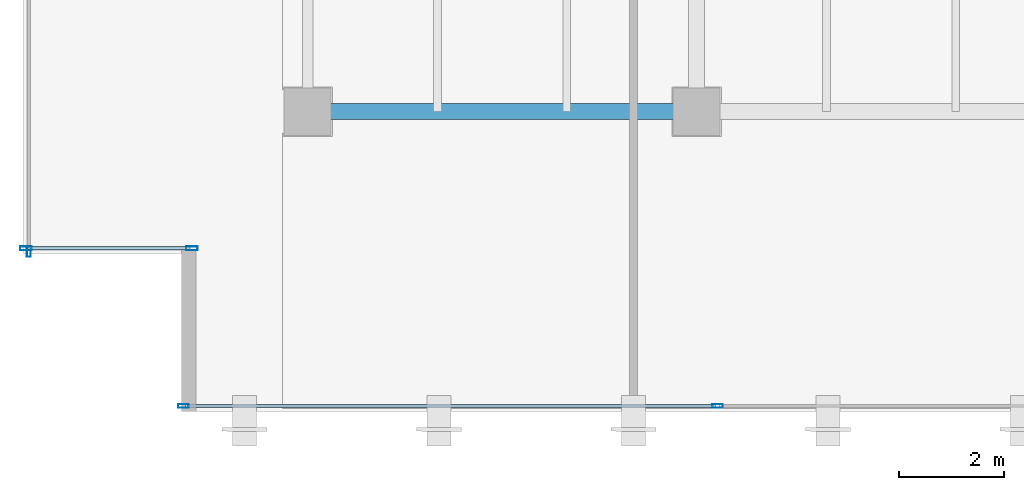
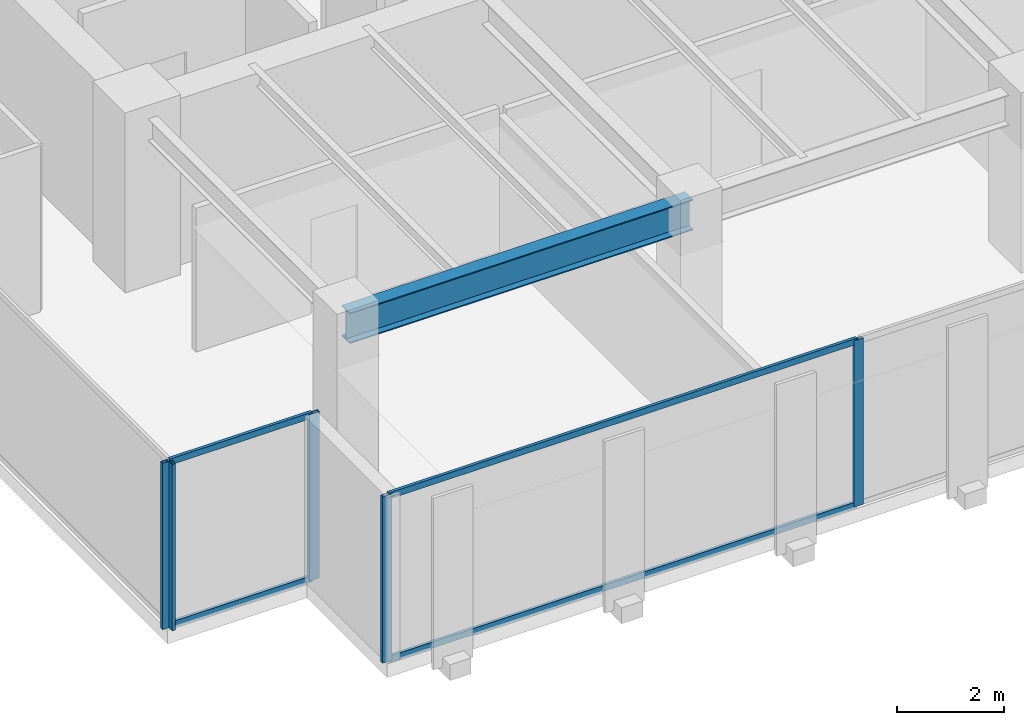
# One storey, part 2 of 34: 9 members, 1 beam, 3 elements without a shape of their own.
"""IFC4 building model written with IfcOpenShell, lengths in metres."""

import ifcopenshell
import ifcopenshell.guid

model = None  # the IFC model being written
_history = None  # IfcOwnerHistory: only IFC2X3 demands one
_inside = {}  # id of a spatial element -> (the spatial element, [elements in it])
_under = {}  # id of a project, library or spatial element -> (it, [spatial elements below it])
_declared = {}  # id of a project -> (the project, [libraries it declares])
_typed = {}  # id of a type object -> (the type object, [elements of that type])
_made_of = {}  # id of a material, layer set ... -> (it, [elements and type objects made of it])


def new_model(schema):
    """Start an empty IFC model of exactly this schema.

    Asked for "IFC4X3", IfcOpenShell would pick the latest addendum, in which some entities
    have other attributes; the version numbers below select the first issue.
    IFC2X3 requires an IfcOwnerHistory on every rooted entity: one is made here for all.
    """
    global model, _history
    if schema == "IFC4X3":
        model = ifcopenshell.file(schema_version=(4, 3, 0, 0))
    else:
        model = ifcopenshell.file(schema=schema)
    _inside.clear()
    _under.clear()
    _declared.clear()
    _typed.clear()
    _made_of.clear()
    _history = None
    if model.schema == "IFC2X3":
        org = make("IfcOrganization", Name="unknown")
        user = make(
            "IfcPersonAndOrganization",
            ThePerson=make("IfcPerson", FamilyName="unknown"),
            TheOrganization=org,
        )
        app = make(
            "IfcApplication",
            ApplicationDeveloper=org,
            Version="unknown",
            ApplicationFullName="unknown",
            ApplicationIdentifier="unknown",
        )
        _history = make(
            "IfcOwnerHistory",
            OwningUser=user,
            OwningApplication=app,
            ChangeAction="ADDED",
            CreationDate=0,
        )
    return model


def make(cls, **values):
    """One entity of the class cls with the attributes given. An attribute that is None is left unset."""
    return model.create_entity(
        cls, **{name: value for name, value in values.items() if value is not None}
    )


def rooted(cls, **values):
    """An entity with a GlobalId (a new one), such as an element, a storey or a relation."""
    return make(cls, GlobalId=ifcopenshell.guid.new(), OwnerHistory=_history, **values)


def si_unit(unit_type, name, prefix=None):
    """IfcSIUnit, for example si_unit("LENGTHUNIT", "METRE", prefix="MILLI")."""
    return make("IfcSIUnit", UnitType=unit_type, Prefix=prefix, Name=name)


def assignment(units):
    """IfcUnitAssignment: the units of a project."""
    return None if units is None else make("IfcUnitAssignment", Units=units)


def point(xyz):
    """IfcCartesianPoint."""
    return None if xyz is None else make("IfcCartesianPoint", Coordinates=xyz)


def direction(xyz):
    """IfcDirection."""
    return None if xyz is None else make("IfcDirection", DirectionRatios=xyz)


def frame(location, z_axis=None, x_axis=None):
    """IfcAxis2Placement3D, a coordinate frame: its origin and axes. An axis left out is left unset."""
    return make(
        "IfcAxis2Placement3D",
        Location=point(location),
        Axis=direction(z_axis),
        RefDirection=direction(x_axis),
    )


def frame_2d(location, x_axis=None):
    """IfcAxis2Placement2D, a coordinate frame in the plane: its origin and x axis."""
    return make(
        "IfcAxis2Placement2D", Location=point(location), RefDirection=direction(x_axis)
    )


def origin():
    """The frame at (0, 0, 0) with its axes left unset."""
    return frame((0.0, 0.0, 0.0))


def origin_2d():
    """The frame at (0, 0) in the plane with its x axis left unset."""
    return frame_2d((0.0, 0.0))


def place(relative_to, where):
    """IfcLocalPlacement: puts the frame where relative to a parent placement (None: the world)."""
    return make(
        "IfcLocalPlacement", PlacementRelTo=relative_to, RelativePlacement=where
    )


def context(
    kind, dimensions, precision=None, world=None, true_north=None, identifier=None
):
    """IfcGeometricRepresentationContext, for example the 3D "Model" context."""
    return make(
        "IfcGeometricRepresentationContext",
        ContextIdentifier=identifier,
        ContextType=kind,
        CoordinateSpaceDimension=dimensions,
        Precision=precision,
        WorldCoordinateSystem=world,
        TrueNorth=true_north,
    )


def subcontext(parent, identifier, kind, view, scale=None):
    """IfcGeometricRepresentationSubContext, for example "Body" below "Model"."""
    return make(
        "IfcGeometricRepresentationSubContext",
        ContextIdentifier=identifier,
        ContextType=kind,
        ParentContext=parent,
        TargetScale=scale,
        TargetView=view,
    )


def project(units=None, contexts=None):
    """IfcProject with its units and contexts."""
    return rooted(
        "IfcProject",
        Name="project",
        RepresentationContexts=contexts,
        UnitsInContext=assignment(units),
    )


def spatial(cls, under=None, at=None, **own):
    """A site, building, storey or space (cls), placed at a placement, below another one or the project."""
    s = rooted(cls, ObjectPlacement=at, **own)
    if under is not None:
        _under.setdefault(under.id(), (under, []))[1].append(s)
    return s


def profile(cls, at=None, kind="AREA", **sizes):
    """A parametric profile (cls). Its sizes go by their IFC names, for example OverallWidth=200.0."""
    return make(cls, ProfileType=kind, Position=at, **sizes)


def hollow_rectangle(**sizes):
    """IfcRectangleHollowProfileDef."""
    return profile("IfcRectangleHollowProfileDef", **sizes)


def i_section(**sizes):
    """IfcIShapeProfileDef."""
    return profile("IfcIShapeProfileDef", **sizes)


def extrude(swept, where, along, depth):
    """IfcExtrudedAreaSolid: the profile swept, set in the frame where, extruded along a direction by depth."""
    return make(
        "IfcExtrudedAreaSolid",
        SweptArea=swept,
        Position=where,
        ExtrudedDirection=direction(along),
        Depth=depth,
    )


def shape(context_of_items, identifier, shape_type, items):
    """IfcShapeRepresentation: the items that make up one representation, for example the "Body"."""
    return make(
        "IfcShapeRepresentation",
        ContextOfItems=context_of_items,
        RepresentationIdentifier=identifier,
        RepresentationType=shape_type,
        Items=items,
    )


def source(mapping_origin, context_of_items, identifier, shape_type, items):
    """IfcRepresentationMap: a shape defined once, which mapped items show again and again."""
    return make(
        "IfcRepresentationMap",
        MappingOrigin=mapping_origin,
        MappedRepresentation=shape(context_of_items, identifier, shape_type, items),
    )


def transform(
    local_origin,
    x_axis=None,
    y_axis=None,
    z_axis=None,
    scale=None,
    scale2=None,
    scale3=None,
    uniform=True,
):
    """IfcCartesianTransformationOperator3D, or its non-uniform kind. x_axis, y_axis, z_axis: its Axis1, 2, 3."""
    if uniform:
        return make(
            "IfcCartesianTransformationOperator3D",
            Axis1=direction(x_axis),
            Axis2=direction(y_axis),
            LocalOrigin=point(local_origin),
            Scale=scale,
            Axis3=direction(z_axis),
        )
    return make(
        "IfcCartesianTransformationOperator3DnonUniform",
        Axis1=direction(x_axis),
        Axis2=direction(y_axis),
        LocalOrigin=point(local_origin),
        Scale=scale,
        Axis3=direction(z_axis),
        Scale2=scale2,
        Scale3=scale3,
    )


def mapped(mapping_source, mapping_target):
    """IfcMappedItem: shows the shape of a source again, moved by a transform."""
    return make(
        "IfcMappedItem", MappingSource=mapping_source, MappingTarget=mapping_target
    )


def material(Name=None, Category=None):
    """IfcMaterial."""
    return make("IfcMaterial", Name=Name, Category=Category)


def layer(
    of_material, thickness, ventilated=None, Name=None, Category=None, Priority=None
):
    """IfcMaterialLayer: one layer of a wall or slab, of a material (None: an air gap)."""
    return make(
        "IfcMaterialLayer",
        Material=of_material,
        LayerThickness=thickness,
        IsVentilated=ventilated,
        Name=Name,
        Category=Category,
        Priority=Priority,
    )


def layer_set(layers, Name=None):
    """IfcMaterialLayerSet."""
    return make("IfcMaterialLayerSet", MaterialLayers=layers, LayerSetName=Name)


def material_profile(
    of_material, cross_section, Name=None, Category=None, Priority=None
):
    """IfcMaterialProfile: a cross section and its material."""
    return make(
        "IfcMaterialProfile",
        Name=Name,
        Material=of_material,
        Profile=cross_section,
        Priority=Priority,
        Category=Category,
    )


def profile_set(profiles, Name=None, composite=None):
    """IfcMaterialProfileSet."""
    return make(
        "IfcMaterialProfileSet",
        Name=Name,
        MaterialProfiles=profiles,
        CompositeProfile=composite,
    )


def made_of(thing, what):
    """Note that an element or type object is made of a material, layer set ...; save() writes the relation."""
    if what is not None:
        _made_of.setdefault(what.id(), (what, []))[1].append(thing)
    return thing


def type_object(cls, material=None, **own):
    """A type object (cls), such as IfcWallType, which elements share."""
    return made_of(rooted(cls, **own), material)


def type_shapes(of_type, sources):
    """Give a type object the sources (RepresentationMaps) that its elements show as mapped items."""
    of_type.RepresentationMaps = sources


def element(
    cls,
    number,
    at=None,
    inside=None,
    cuts=None,
    type_object=None,
    material=None,
    context=None,
    identifier="Body",
    shape_type=None,
    held_by="IfcProductDefinitionShape",
    body=None,
    shapes=None,
    **own,
):
    """One element of the class cls, such as IfcWall. Its Tag is "e" and its number.

    at: its placement. inside: the storey or other place that contains it. cuts: it is an
    opening in that element (IfcRelVoidsElement). A single representation is given by context,
    identifier, shape_type and body (its items); several are given by shapes. held_by: the class
    of the entity that holds the representations. save() writes the other relations.
    """
    e = rooted(cls, Tag="e%d" % number, ObjectPlacement=at, **own)
    if body is not None:
        shapes = [shape(context, identifier, shape_type, body)]
    if shapes is not None:
        e.Representation = make(held_by, Representations=shapes)
    if inside is not None:
        _inside.setdefault(inside.id(), (inside, []))[1].append(e)
    if cuts is not None:
        rooted(
            "IfcRelVoidsElement", RelatingBuildingElement=cuts, RelatedOpeningElement=e
        )
    if type_object is not None:
        _typed.setdefault(type_object.id(), (type_object, []))[1].append(e)
    return made_of(e, material)


def aggregate(whole, parts):
    """IfcRelAggregates: a whole, such as a stair, and the parts it consists of."""
    return rooted("IfcRelAggregates", RelatingObject=whole, RelatedObjects=parts)


def save(model, path):
    """Write the relations noted so far, then the file.

    IfcRelAggregates (storeys below a building ...), IfcRelContainedInSpatialStructure (elements
    in a storey), IfcRelDefinesByType, IfcRelAssociatesMaterial and IfcRelDeclares: one each for
    every whole, place, type object, material and project.
    """
    for whole, parts in _under.values():
        aggregate(whole, parts)
    for where, things in _inside.values():
        rooted(
            "IfcRelContainedInSpatialStructure",
            RelatedElements=things,
            RelatingStructure=where,
        )
    for kind, things in _typed.values():
        rooted("IfcRelDefinesByType", RelatedObjects=things, RelatingType=kind)
    for what, things in _made_of.values():
        rooted("IfcRelAssociatesMaterial", RelatedObjects=things, RelatingMaterial=what)
    for by, libraries in _declared.values():
        rooted("IfcRelDeclares", RelatingContext=by, RelatedDefinitions=libraries)
    model.write(path)


model = new_model("IFC4")

# Units and contexts
model_context = context("Model", 3, precision=1e-05, world=origin(), true_north=direction((0.0, 1.0)))
body_context = subcontext(model_context, "Body", "Model", "MODEL_VIEW")
ifc_project = project(units=[si_unit("LENGTHUNIT", "METRE"), si_unit("AREAUNIT", "SQUARE_METRE"), si_unit("VOLUMEUNIT", "CUBIC_METRE"), si_unit("PLANEANGLEUNIT", "RADIAN"), si_unit("MASSUNIT", "GRAM", prefix="KILO")], contexts=[model_context])

# Site, building, storey
site_placement = place(None, origin())
site = spatial("IfcSite", under=ifc_project, at=site_placement, CompositionType="ELEMENT")
building_placement = place(site_placement, origin())
building = spatial("IfcBuilding", under=site, at=building_placement, Name="Haelvirn Gate Laboratories", CompositionType="ELEMENT")
storey_placement = place(building_placement, frame((0.0, 0.0, 158.39990234375)))
storey = spatial("IfcBuildingStorey", under=building, at=storey_placement, Name="L38", CompositionType="ELEMENT", Elevation=158.39990234375)

# Beam
ifc_material_1 = material(Name="Steel SM355", Category="steel")
ifc_material_profile_1 = material_profile(ifc_material_1, i_section(OverallWidth=0.300048828125, OverallDepth=0.699951171875, WebThickness=0.012939453125, FlangeThickness=0.02392578125, at=origin_2d()), Name="H-700x300x13x24")
ifc_profile_set_1 = profile_set([ifc_material_profile_1], Name="Steel SM355")
beam_type = type_object("IfcBeamType", Name="BM-G-700", PredefinedType="BEAM", material=ifc_profile_set_1)
shared_shape_1 = source(origin(), body_context, "Body", "SweptSolid", [
    extrude(i_section(OverallWidth=0.300048828125, OverallDepth=0.699951171875, WebThickness=0.012939453125, FlangeThickness=0.02392578125, at=origin_2d()), origin(), (0.0, 0.0, 1.0), 7.400146484375),
])
type_shapes(beam_type, [shared_shape_1])
beam_placement = place(storey_placement, frame((7.39990234375, 7.0, 3.440185546875), z_axis=(1.0, 0.0, 0.0), x_axis=(0.0, 1.0, 0.0)))
element("IfcBeam", 1, at=beam_placement, inside=storey, type_object=beam_type, Name="L38 Primary Girder Y7.0 (7.4-14.8)", PredefinedType="BEAM", context=body_context, shape_type="MappedRepresentation", body=[
    mapped(shared_shape_1, transform((0.0, 0.0, 0.0), scale=1.0)),
])

# Curtain wall, members
ifc_material_2 = material(Name="Anodised bronze unitised aluminium & triple low-E glass", Category="aluminium")
ifc_layer_1 = layer(ifc_material_2, 0.179931640625, Name="CW-SYS-3")
ifc_layer_set_1 = layer_set([ifc_layer_1], Name="Anodised bronze unitised aluminium & triple low-E glass")
curtain_wall_type_1 = type_object("IfcCurtainWallType", Name="CW-SYS-3", PredefinedType="NOTDEFINED", material=ifc_layer_set_1)
curtain_wall_1_placement = place(storey_placement, origin())
curtain_wall_1 = element("IfcCurtainWall", 2, at=curtain_wall_1_placement, inside=storey, type_object=curtain_wall_type_1, Name="L38 Unitised Curtain Wall CW-L38-P0-E00-1", PredefinedType="NOTDEFINED")
ifc_material_3 = material(Name="Extruded aluminium 6063-T6 (anodised bronze)", Category="aluminium")
ifc_material_profile_2 = material_profile(ifc_material_3, hollow_rectangle(XDim=0.06494140625, YDim=0.139892578125, WallThickness=0.00390625, at=origin_2d()), Name="CWT-140x65x4")
ifc_profile_set_2 = profile_set([ifc_material_profile_2], Name="Extruded aluminium 6063-T6 (anodised bronze)")
member_type_1 = type_object("IfcMemberType", Name="CWT-T140", PredefinedType="USERDEFINED", material=ifc_profile_set_2)
shared_shape_2 = source(origin(), body_context, "Body", "SweptSolid", [
    extrude(hollow_rectangle(XDim=0.06494140625, YDim=0.139892578125, WallThickness=0.00390625, at=origin_2d()), origin(), (0.0, 0.0, 1.0), 10.087646484375),
])
member_1_placement = place(storey_placement, frame((5.074951171875, 1.39990234375, 0.03271484375), z_axis=(1.0, 0.0, 0.0), x_axis=(0.0, 1.0, 0.0)))
member_1 = element("IfcMember", 3, at=member_1_placement, type_object=member_type_1, Name="CW3 transom 1.1", ObjectType="TRANSOM", PredefinedType="USERDEFINED", context=body_context, shape_type="MappedRepresentation", body=[
    mapped(shared_shape_2, transform((0.0, 0.0, 0.0), scale=1.0)),
])
member_2_placement = place(storey_placement, frame((5.074951171875, 1.39990234375, 3.757568359375), z_axis=(1.0, 0.0, 0.0), x_axis=(0.0, 1.0, 0.0)))
member_2 = element("IfcMember", 4, at=member_2_placement, type_object=member_type_1, Name="CW3 transom 1.2", ObjectType="TRANSOM", PredefinedType="USERDEFINED", context=body_context, shape_type="MappedRepresentation", body=[
    mapped(shared_shape_2, transform((0.0, 0.0, 0.0), scale=1.0)),
])

ifc_layer_2 = layer(ifc_material_2, 0.181884765625, Name="CW-SYS-5")
ifc_layer_set_2 = layer_set([ifc_layer_2], Name="Anodised bronze unitised aluminium & triple low-E glass")
curtain_wall_type_2 = type_object("IfcCurtainWallType", Name="CW-SYS-5", PredefinedType="NOTDEFINED", material=ifc_layer_set_2)
curtain_wall_2_placement = place(storey_placement, origin())
curtain_wall_2 = element("IfcCurtainWall", 5, at=curtain_wall_2_placement, inside=storey, type_object=curtain_wall_type_2, Name="L38 Unitised Curtain Wall CW-L38-P0-E18-1", PredefinedType="NOTDEFINED")
shared_shape_3 = source(origin(), body_context, "Body", "SweptSolid", [
    extrude(hollow_rectangle(XDim=0.06494140625, YDim=0.139892578125, WallThickness=0.00390625, at=origin_2d()), origin(), (0.0, 0.0, 1.0), 3.079833984375),
])
type_shapes(member_type_1, [shared_shape_2, shared_shape_3])
member_3_placement = place(storey_placement, frame((2.080078125, 4.39990234375, 0.03271484375), z_axis=(1.0, 0.0, 0.0), x_axis=(0.0, 1.0, 0.0)))
member_3 = element("IfcMember", 6, at=member_3_placement, type_object=member_type_1, Name="CW5 transom 1.1", ObjectType="TRANSOM", PredefinedType="USERDEFINED", context=body_context, shape_type="MappedRepresentation", body=[
    mapped(shared_shape_3, transform((0.0, 0.0, 0.0), scale=1.0)),
])
member_4_placement = place(storey_placement, frame((2.080078125, 4.39990234375, 3.757568359375), z_axis=(1.0, 0.0, 0.0), x_axis=(0.0, 1.0, 0.0)))
member_4 = element("IfcMember", 7, at=member_4_placement, type_object=member_type_1, Name="CW5 transom 1.2", ObjectType="TRANSOM", PredefinedType="USERDEFINED", context=body_context, shape_type="MappedRepresentation", body=[
    mapped(shared_shape_3, transform((0.0, 0.0, 0.0), scale=1.0)),
])

# Member
ifc_material_profile_3 = material_profile(ifc_material_3, hollow_rectangle(XDim=0.074951171875, YDim=0.199951171875, WallThickness=0.0048828125, at=origin_2d()), Name="CWM-200x75x5")
ifc_profile_set_3 = profile_set([ifc_material_profile_3], Name="Extruded aluminium 6063-T6 (anodised bronze)")
member_type_2 = type_object("IfcMemberType", Name="CWM-T200", PredefinedType="MULLION", material=ifc_profile_set_3)
shared_shape_4 = source(origin(), body_context, "Body", "SweptSolid", [
    extrude(hollow_rectangle(XDim=0.074951171875, YDim=0.199951171875, WallThickness=0.0048828125, at=origin_2d()), origin(), (0.0, 0.0, 1.0), 3.7900390625),
])
type_shapes(member_type_2, [shared_shape_4])
member_5_placement = place(storey_placement, frame((5.03759765625, 1.39990234375, 0.0), z_axis=(0.0, 0.0, 1.0), x_axis=(0.0, 1.0, 0.0)))
member_5 = element("IfcMember", 8, at=member_5_placement, type_object=member_type_2, Name="CW3 mullion 1", PredefinedType="MULLION", context=body_context, shape_type="MappedRepresentation", body=[
    mapped(shared_shape_4, transform((0.0, 0.0, 0.0), scale=1.0)),
])

member_6_placement = place(storey_placement, frame((15.199951171875, 1.39990234375, 0.0), z_axis=(0.0, 0.0, 1.0), x_axis=(0.0, 1.0, 0.0)))
member_6 = element("IfcMember", 9, at=member_6_placement, type_object=member_type_2, Name="CW3 mullion 2", PredefinedType="MULLION", context=body_context, shape_type="MappedRepresentation", body=[
    mapped(shared_shape_4, transform((0.0, 0.0, 0.0), scale=1.0)),
])

aggregate(curtain_wall_1, [member_5, member_6, member_1, member_2])

# Curtain wall, member
curtain_wall_3_placement = place(storey_placement, origin())
curtain_wall_3 = element("IfcCurtainWall", 10, at=curtain_wall_3_placement, inside=storey, type_object=curtain_wall_type_1, Name="L38 Unitised Curtain Wall CW-L38-P0-E17", PredefinedType="NOTDEFINED")
member_7_placement = place(storey_placement, frame((2.10009765625, 4.33740234375, 0.0), z_axis=(0.0, 0.0, 1.0), x_axis=(1.0, 0.0, 0.0)))
member_7 = element("IfcMember", 11, at=member_7_placement, type_object=member_type_2, Name="CW3 mullion 4", PredefinedType="MULLION", context=body_context, shape_type="MappedRepresentation", body=[
    mapped(shared_shape_4, transform((0.0, 0.0, 0.0), scale=1.0)),
])
aggregate(curtain_wall_3, [member_7])

# Member
ifc_material_profile_4 = material_profile(ifc_material_3, hollow_rectangle(XDim=0.080078125, YDim=0.219970703125, WallThickness=0.006103515625, at=origin_2d()), Name="CWM-220x80x6")
ifc_profile_set_4 = profile_set([ifc_material_profile_4], Name="Extruded aluminium 6063-T6 (anodised bronze)")
member_type_3 = type_object("IfcMemberType", Name="CWM-T220", PredefinedType="MULLION", material=ifc_profile_set_4)
shared_shape_5 = source(origin(), body_context, "Body", "SweptSolid", [
    extrude(hollow_rectangle(XDim=0.080078125, YDim=0.219970703125, WallThickness=0.006103515625, at=origin_2d()), origin(), (0.0, 0.0, 1.0), 3.7900390625),
])
type_shapes(member_type_3, [shared_shape_5])
member_8_placement = place(storey_placement, frame((2.0400390625, 4.39990234375, 0.0), z_axis=(0.0, 0.0, 1.0), x_axis=(0.0, 1.0, 0.0)))
member_8 = element("IfcMember", 12, at=member_8_placement, type_object=member_type_3, Name="CW5 mullion 1", PredefinedType="MULLION", context=body_context, shape_type="MappedRepresentation", body=[
    mapped(shared_shape_5, transform((0.0, 0.0, 0.0), scale=1.0)),
])

member_9_placement = place(storey_placement, frame((5.199951171875, 4.39990234375, 0.0), z_axis=(0.0, 0.0, 1.0), x_axis=(0.0, 1.0, 0.0)))
member_9 = element("IfcMember", 13, at=member_9_placement, type_object=member_type_3, Name="CW5 mullion 2", PredefinedType="MULLION", context=body_context, shape_type="MappedRepresentation", body=[
    mapped(shared_shape_5, transform((0.0, 0.0, 0.0), scale=1.0)),
])

aggregate(curtain_wall_2, [member_8, member_9, member_3, member_4])

save(model, "model.ifc")
